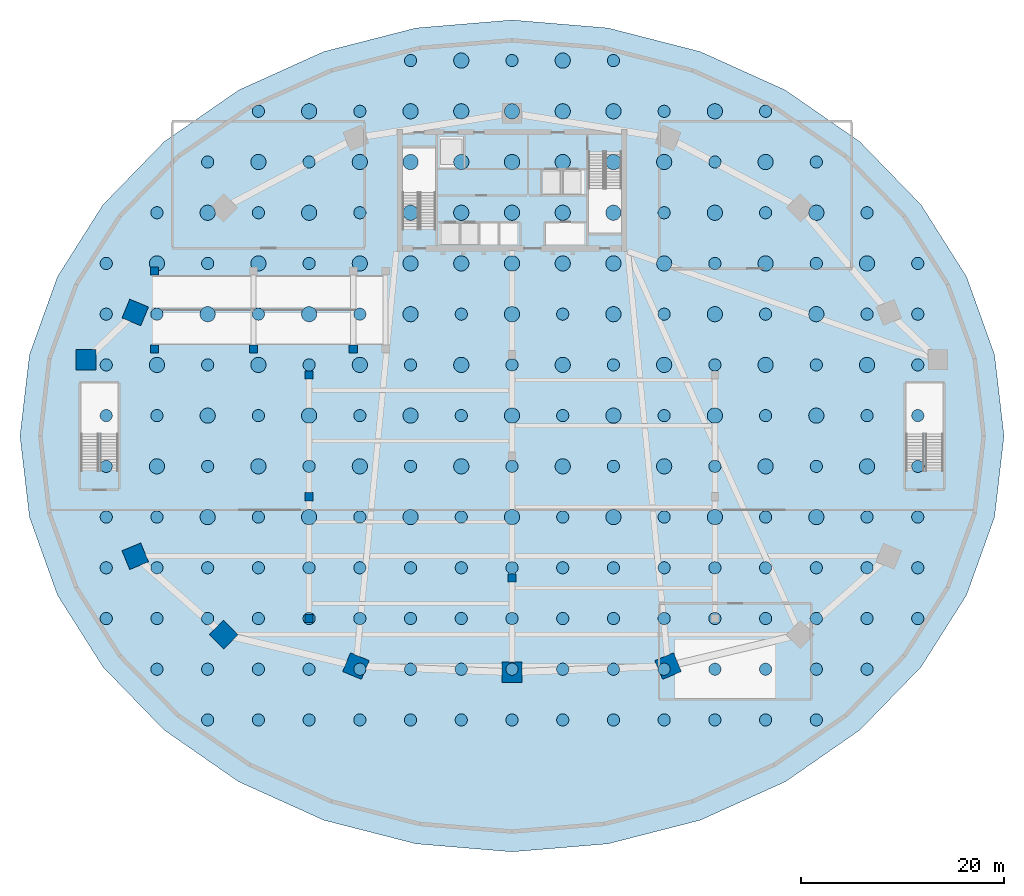
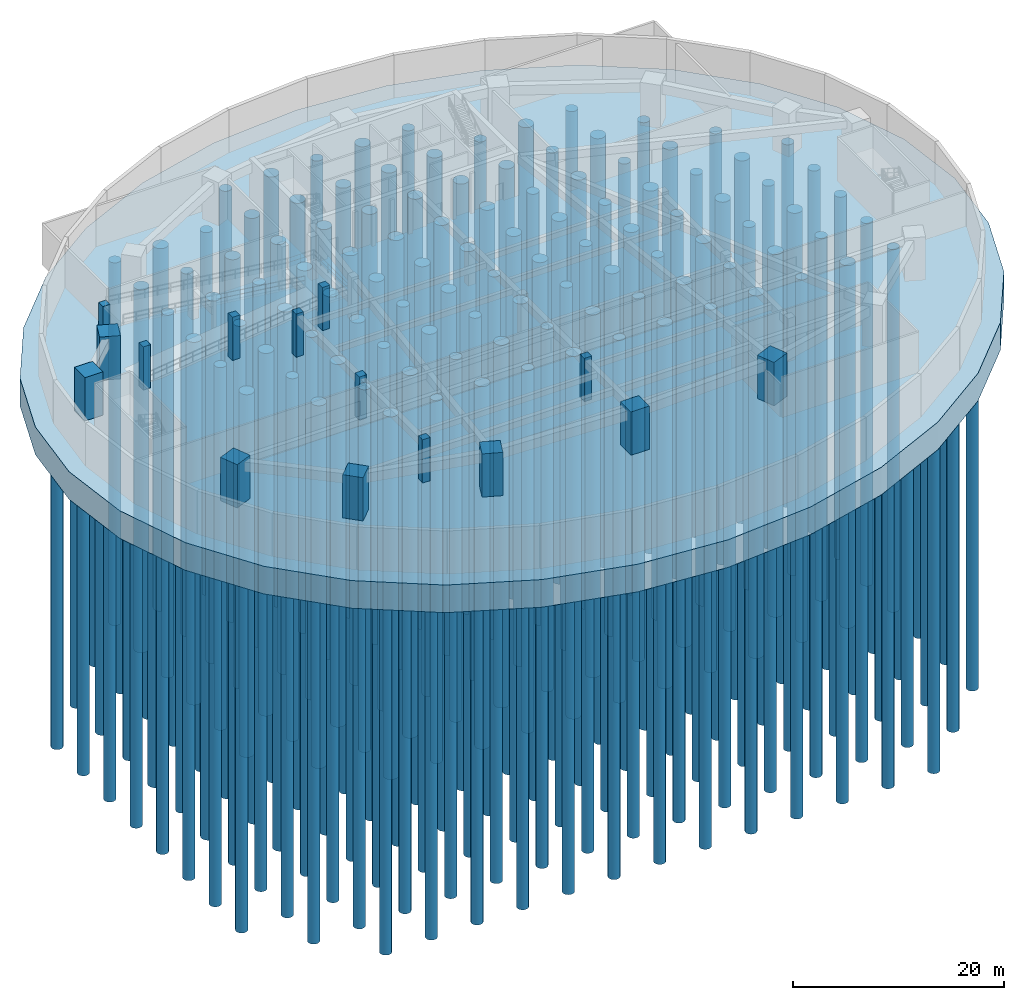
# One storey, part 1 of 11: 208 piles, 15 columns, 1 footing.
"""IFC4 building model written with IfcOpenShell, lengths in metres."""

import ifcopenshell
import ifcopenshell.guid

model = None  # the IFC model being written
_history = None  # IfcOwnerHistory: only IFC2X3 demands one
_inside = {}  # id of a spatial element -> (the spatial element, [elements in it])
_under = {}  # id of a project, library or spatial element -> (it, [spatial elements below it])
_declared = {}  # id of a project -> (the project, [libraries it declares])
_typed = {}  # id of a type object -> (the type object, [elements of that type])
_made_of = {}  # id of a material, layer set ... -> (it, [elements and type objects made of it])


def new_model(schema):
    """Start an empty IFC model of exactly this schema.

    Asked for "IFC4X3", IfcOpenShell would pick the latest addendum, in which some entities
    have other attributes; the version numbers below select the first issue.
    IFC2X3 requires an IfcOwnerHistory on every rooted entity: one is made here for all.
    """
    global model, _history
    if schema == "IFC4X3":
        model = ifcopenshell.file(schema_version=(4, 3, 0, 0))
    else:
        model = ifcopenshell.file(schema=schema)
    _inside.clear()
    _under.clear()
    _declared.clear()
    _typed.clear()
    _made_of.clear()
    _history = None
    if model.schema == "IFC2X3":
        org = make("IfcOrganization", Name="unknown")
        user = make(
            "IfcPersonAndOrganization",
            ThePerson=make("IfcPerson", FamilyName="unknown"),
            TheOrganization=org,
        )
        app = make(
            "IfcApplication",
            ApplicationDeveloper=org,
            Version="unknown",
            ApplicationFullName="unknown",
            ApplicationIdentifier="unknown",
        )
        _history = make(
            "IfcOwnerHistory",
            OwningUser=user,
            OwningApplication=app,
            ChangeAction="ADDED",
            CreationDate=0,
        )
    return model


def make(cls, **values):
    """One entity of the class cls with the attributes given. An attribute that is None is left unset."""
    return model.create_entity(
        cls, **{name: value for name, value in values.items() if value is not None}
    )


def rooted(cls, **values):
    """An entity with a GlobalId (a new one), such as an element, a storey or a relation."""
    return make(cls, GlobalId=ifcopenshell.guid.new(), OwnerHistory=_history, **values)


def si_unit(unit_type, name, prefix=None):
    """IfcSIUnit, for example si_unit("LENGTHUNIT", "METRE", prefix="MILLI")."""
    return make("IfcSIUnit", UnitType=unit_type, Prefix=prefix, Name=name)


def assignment(units):
    """IfcUnitAssignment: the units of a project."""
    return None if units is None else make("IfcUnitAssignment", Units=units)


def point(xyz):
    """IfcCartesianPoint."""
    return None if xyz is None else make("IfcCartesianPoint", Coordinates=xyz)


def direction(xyz):
    """IfcDirection."""
    return None if xyz is None else make("IfcDirection", DirectionRatios=xyz)


def frame(location, z_axis=None, x_axis=None):
    """IfcAxis2Placement3D, a coordinate frame: its origin and axes. An axis left out is left unset."""
    return make(
        "IfcAxis2Placement3D",
        Location=point(location),
        Axis=direction(z_axis),
        RefDirection=direction(x_axis),
    )


def frame_2d(location, x_axis=None):
    """IfcAxis2Placement2D, a coordinate frame in the plane: its origin and x axis."""
    return make(
        "IfcAxis2Placement2D", Location=point(location), RefDirection=direction(x_axis)
    )


def origin():
    """The frame at (0, 0, 0) with its axes left unset."""
    return frame((0.0, 0.0, 0.0))


def origin_2d():
    """The frame at (0, 0) in the plane with its x axis left unset."""
    return frame_2d((0.0, 0.0))


def place(relative_to, where):
    """IfcLocalPlacement: puts the frame where relative to a parent placement (None: the world)."""
    return make(
        "IfcLocalPlacement", PlacementRelTo=relative_to, RelativePlacement=where
    )


def context(
    kind, dimensions, precision=None, world=None, true_north=None, identifier=None
):
    """IfcGeometricRepresentationContext, for example the 3D "Model" context."""
    return make(
        "IfcGeometricRepresentationContext",
        ContextIdentifier=identifier,
        ContextType=kind,
        CoordinateSpaceDimension=dimensions,
        Precision=precision,
        WorldCoordinateSystem=world,
        TrueNorth=true_north,
    )


def subcontext(parent, identifier, kind, view, scale=None):
    """IfcGeometricRepresentationSubContext, for example "Body" below "Model"."""
    return make(
        "IfcGeometricRepresentationSubContext",
        ContextIdentifier=identifier,
        ContextType=kind,
        ParentContext=parent,
        TargetScale=scale,
        TargetView=view,
    )


def project(units=None, contexts=None):
    """IfcProject with its units and contexts."""
    return rooted(
        "IfcProject",
        Name="project",
        RepresentationContexts=contexts,
        UnitsInContext=assignment(units),
    )


def spatial(cls, under=None, at=None, **own):
    """A site, building, storey or space (cls), placed at a placement, below another one or the project."""
    s = rooted(cls, ObjectPlacement=at, **own)
    if under is not None:
        _under.setdefault(under.id(), (under, []))[1].append(s)
    return s


def polyline(points):
    """IfcPolyline through the points."""
    return make("IfcPolyline", Points=[point(p) for p in points])


def profile(cls, at=None, kind="AREA", **sizes):
    """A parametric profile (cls). Its sizes go by their IFC names, for example OverallWidth=200.0."""
    return make(cls, ProfileType=kind, Position=at, **sizes)


def rectangle(**sizes):
    """IfcRectangleProfileDef."""
    return profile("IfcRectangleProfileDef", **sizes)


def circle(**sizes):
    """IfcCircleProfileDef."""
    return profile("IfcCircleProfileDef", **sizes)


def outline(outer, holes=None, kind="AREA"):
    """IfcArbitraryClosedProfileDef: a profile drawn as a closed curve; with holes, ...WithVoids."""
    if holes is None:
        return make("IfcArbitraryClosedProfileDef", ProfileType=kind, OuterCurve=outer)
    return make(
        "IfcArbitraryProfileDefWithVoids",
        ProfileType=kind,
        OuterCurve=outer,
        InnerCurves=holes,
    )


def extrude(swept, where, along, depth):
    """IfcExtrudedAreaSolid: the profile swept, set in the frame where, extruded along a direction by depth."""
    return make(
        "IfcExtrudedAreaSolid",
        SweptArea=swept,
        Position=where,
        ExtrudedDirection=direction(along),
        Depth=depth,
    )


def shape(context_of_items, identifier, shape_type, items):
    """IfcShapeRepresentation: the items that make up one representation, for example the "Body"."""
    return make(
        "IfcShapeRepresentation",
        ContextOfItems=context_of_items,
        RepresentationIdentifier=identifier,
        RepresentationType=shape_type,
        Items=items,
    )


def source(mapping_origin, context_of_items, identifier, shape_type, items):
    """IfcRepresentationMap: a shape defined once, which mapped items show again and again."""
    return make(
        "IfcRepresentationMap",
        MappingOrigin=mapping_origin,
        MappedRepresentation=shape(context_of_items, identifier, shape_type, items),
    )


def transform(
    local_origin,
    x_axis=None,
    y_axis=None,
    z_axis=None,
    scale=None,
    scale2=None,
    scale3=None,
    uniform=True,
):
    """IfcCartesianTransformationOperator3D, or its non-uniform kind. x_axis, y_axis, z_axis: its Axis1, 2, 3."""
    if uniform:
        return make(
            "IfcCartesianTransformationOperator3D",
            Axis1=direction(x_axis),
            Axis2=direction(y_axis),
            LocalOrigin=point(local_origin),
            Scale=scale,
            Axis3=direction(z_axis),
        )
    return make(
        "IfcCartesianTransformationOperator3DnonUniform",
        Axis1=direction(x_axis),
        Axis2=direction(y_axis),
        LocalOrigin=point(local_origin),
        Scale=scale,
        Axis3=direction(z_axis),
        Scale2=scale2,
        Scale3=scale3,
    )


def mapped(mapping_source, mapping_target):
    """IfcMappedItem: shows the shape of a source again, moved by a transform."""
    return make(
        "IfcMappedItem", MappingSource=mapping_source, MappingTarget=mapping_target
    )


def material(Name=None, Category=None):
    """IfcMaterial."""
    return make("IfcMaterial", Name=Name, Category=Category)


def layer(
    of_material, thickness, ventilated=None, Name=None, Category=None, Priority=None
):
    """IfcMaterialLayer: one layer of a wall or slab, of a material (None: an air gap)."""
    return make(
        "IfcMaterialLayer",
        Material=of_material,
        LayerThickness=thickness,
        IsVentilated=ventilated,
        Name=Name,
        Category=Category,
        Priority=Priority,
    )


def layer_set(layers, Name=None):
    """IfcMaterialLayerSet."""
    return make("IfcMaterialLayerSet", MaterialLayers=layers, LayerSetName=Name)


def material_profile(
    of_material, cross_section, Name=None, Category=None, Priority=None
):
    """IfcMaterialProfile: a cross section and its material."""
    return make(
        "IfcMaterialProfile",
        Name=Name,
        Material=of_material,
        Profile=cross_section,
        Priority=Priority,
        Category=Category,
    )


def profile_set(profiles, Name=None, composite=None):
    """IfcMaterialProfileSet."""
    return make(
        "IfcMaterialProfileSet",
        Name=Name,
        MaterialProfiles=profiles,
        CompositeProfile=composite,
    )


def made_of(thing, what):
    """Note that an element or type object is made of a material, layer set ...; save() writes the relation."""
    if what is not None:
        _made_of.setdefault(what.id(), (what, []))[1].append(thing)
    return thing


def type_object(cls, material=None, **own):
    """A type object (cls), such as IfcWallType, which elements share."""
    return made_of(rooted(cls, **own), material)


def type_shapes(of_type, sources):
    """Give a type object the sources (RepresentationMaps) that its elements show as mapped items."""
    of_type.RepresentationMaps = sources


def element(
    cls,
    number,
    at=None,
    inside=None,
    cuts=None,
    type_object=None,
    material=None,
    context=None,
    identifier="Body",
    shape_type=None,
    held_by="IfcProductDefinitionShape",
    body=None,
    shapes=None,
    **own,
):
    """One element of the class cls, such as IfcWall. Its Tag is "e" and its number.

    at: its placement. inside: the storey or other place that contains it. cuts: it is an
    opening in that element (IfcRelVoidsElement). A single representation is given by context,
    identifier, shape_type and body (its items); several are given by shapes. held_by: the class
    of the entity that holds the representations. save() writes the other relations.
    """
    e = rooted(cls, Tag="e%d" % number, ObjectPlacement=at, **own)
    if body is not None:
        shapes = [shape(context, identifier, shape_type, body)]
    if shapes is not None:
        e.Representation = make(held_by, Representations=shapes)
    if inside is not None:
        _inside.setdefault(inside.id(), (inside, []))[1].append(e)
    if cuts is not None:
        rooted(
            "IfcRelVoidsElement", RelatingBuildingElement=cuts, RelatedOpeningElement=e
        )
    if type_object is not None:
        _typed.setdefault(type_object.id(), (type_object, []))[1].append(e)
    return made_of(e, material)


def aggregate(whole, parts):
    """IfcRelAggregates: a whole, such as a stair, and the parts it consists of."""
    return rooted("IfcRelAggregates", RelatingObject=whole, RelatedObjects=parts)


def save(model, path):
    """Write the relations noted so far, then the file.

    IfcRelAggregates (storeys below a building ...), IfcRelContainedInSpatialStructure (elements
    in a storey), IfcRelDefinesByType, IfcRelAssociatesMaterial and IfcRelDeclares: one each for
    every whole, place, type object, material and project.
    """
    for whole, parts in _under.values():
        aggregate(whole, parts)
    for where, things in _inside.values():
        rooted(
            "IfcRelContainedInSpatialStructure",
            RelatedElements=things,
            RelatingStructure=where,
        )
    for kind, things in _typed.values():
        rooted("IfcRelDefinesByType", RelatedObjects=things, RelatingType=kind)
    for what, things in _made_of.values():
        rooted("IfcRelAssociatesMaterial", RelatedObjects=things, RelatingMaterial=what)
    for by, libraries in _declared.values():
        rooted("IfcRelDeclares", RelatingContext=by, RelatedDefinitions=libraries)
    model.write(path)


model = new_model("IFC4")

# Units and contexts
model_context = context("Model", 3, precision=1e-05, world=origin(), true_north=direction((0.0, 1.0)))
body_context = subcontext(model_context, "Body", "Model", "MODEL_VIEW")
ifc_project = project(units=[si_unit("LENGTHUNIT", "METRE"), si_unit("AREAUNIT", "SQUARE_METRE"), si_unit("VOLUMEUNIT", "CUBIC_METRE"), si_unit("PLANEANGLEUNIT", "RADIAN"), si_unit("MASSUNIT", "GRAM", prefix="KILO")], contexts=[model_context])

# Site, building, storey
site_placement = place(None, origin())
site = spatial("IfcSite", under=ifc_project, at=site_placement, CompositionType="ELEMENT")
building_placement = place(site_placement, origin())
building = spatial("IfcBuilding", under=site, at=building_placement, Name="Breltana Convention Tower", CompositionType="ELEMENT")
storey_placement = place(building_placement, frame((0.0, 0.0, -10.0)))
storey = spatial("IfcBuildingStorey", under=building, at=storey_placement, Name="B02", CompositionType="ELEMENT", Elevation=-10.0)

# Footing
ifc_material_1 = material(Name="Concrete C50/60", Category="concrete")
ifc_layer = layer(ifc_material_1, 3.199951171875, Name="Concrete C50/60")
ifc_layer_set = layer_set([ifc_layer], Name="Concrete C50/60")
footing_type = type_object("IfcFootingType", Name="FT-RAFT-3200", PredefinedType="PILE_CAP", material=ifc_layer_set)
footing_placement = place(storey_placement, frame((0.0, 0.0, -3.199951171875)))
element("IfcFooting", 1, at=footing_placement, inside=storey, type_object=footing_type, Name="Tower and Podium Piled Raft Foundation 3200 mm", PredefinedType="PILE_CAP", context=body_context, shape_type="SweptSolid", body=[
    extrude(outline(polyline([(96.5, 42.0), (95.568115234375, 49.998779296875), (92.80810546875, 57.68994140625), (88.326416015625, 64.7783203125), (82.294677734375, 70.991455078125), (74.9453125, 76.09033203125), (66.56005859375, 79.879150390625), (57.4619140625, 82.212158203125), (48.0, 83.0), (38.5380859375, 82.212158203125), (29.43994140625, 79.879150390625), (21.0546875, 76.09033203125), (13.705322265625, 70.991455078125), (7.673583984375, 64.7783203125), (3.19189453125, 57.68994140625), (0.431884765625, 49.998779296875), (-0.5, 42.0), (0.431884765625, 34.001220703125), (3.19189453125, 26.31005859375), (7.673583984375, 19.2216796875), (13.705322265625, 13.008544921875), (21.0546875, 7.90966796875), (29.43994140625, 4.120849609375), (38.5380859375, 1.787841796875), (48.0, 1.0), (57.4619140625, 1.787841796875), (66.56005859375, 4.120849609375), (74.9453125, 7.90966796875), (82.294677734375, 13.008544921875), (88.326416015625, 19.2216796875), (92.80810546875, 26.31005859375), (95.568115234375, 34.001220703125), (96.5, 42.0)])), origin(), (0.0, 0.0, 1.0), 3.199951171875),
])

# Piles
ifc_material_2 = material(Name="Concrete C40/50", Category="concrete")
ifc_material_profile_1 = material_profile(ifc_material_2, circle(Radius=0.60009765625, at=origin_2d()), Name="BP-D1200")
ifc_profile_set_1 = profile_set([ifc_material_profile_1], Name="Concrete C40/50")
pile_type_1 = type_object("IfcPileType", Name="PL-BP-1200", PredefinedType="BORED", material=ifc_profile_set_1)
shared_shape_1 = source(origin(), body_context, "Body", "SweptSolid", [
    extrude(circle(Radius=0.60009765625, at=origin_2d()), origin(), (0.0, 0.0, 1.0), 42.0),
])
type_shapes(pile_type_1, [shared_shape_1])
for number, where, z_axis, x_axis, name in (
    (2, (8.0, 24.0, -3.050048828125), (0.0, 0.0, -1.0), (1.0, 0.0, 0.0), "Bored Foundation Pile 001"),
    (3, (8.0, 29.0, -3.050048828125), (0.0, 0.0, -1.0), (1.0, 0.0, 0.0), "Bored Foundation Pile 002"),
    (4, (8.0, 34.0, -3.050048828125), (0.0, 0.0, -1.0), (1.0, 0.0, 0.0), "Bored Foundation Pile 003"),
    (5, (8.0, 39.0, -3.050048828125), (0.0, 0.0, -1.0), (1.0, 0.0, 0.0), "Bored Foundation Pile 004"),
    (6, (8.0, 44.0, -3.050048828125), (0.0, 0.0, -1.0), (1.0, 0.0, 0.0), "Bored Foundation Pile 005"),
    (7, (8.0, 49.0, -3.050048828125), (0.0, 0.0, -1.0), (1.0, 0.0, 0.0), "Bored Foundation Pile 006"),
    (8, (8.0, 54.0, -3.050048828125), (0.0, 0.0, -1.0), (1.0, 0.0, 0.0), "Bored Foundation Pile 007"),
    (9, (8.0, 59.0, -3.050048828125), (0.0, 0.0, -1.0), (1.0, 0.0, 0.0), "Bored Foundation Pile 008"),
    (10, (13.0, 19.0, -3.050048828125), (0.0, 0.0, -1.0), (1.0, 0.0, 0.0), "Bored Foundation Pile 009"),
    (11, (13.0, 24.0, -3.050048828125), (0.0, 0.0, -1.0), (1.0, 0.0, 0.0), "Bored Foundation Pile 010"),
    (12, (13.0, 29.0, -3.050048828125), (0.0, 0.0, -1.0), (1.0, 0.0, 0.0), "Bored Foundation Pile 011"),
    (13, (13.0, 34.0, -3.050048828125), (0.0, 0.0, -1.0), (1.0, 0.0, 0.0), "Bored Foundation Pile 012"),
    (14, (13.0, 44.0, -3.050048828125), (0.0, 0.0, -1.0), (1.0, 0.0, 0.0), "Bored Foundation Pile 014"),
    (15, (13.0, 54.0, -3.050048828125), (0.0, 0.0, -1.0), (1.0, 0.0, 0.0), "Bored Foundation Pile 016"),
    (16, (13.0, 64.0, -3.050048828125), (0.0, 0.0, -1.0), (1.0, 0.0, 0.0), "Bored Foundation Pile 018"),
    (17, (18.0, 14.0, -3.050048828125), (0.0, 0.0, -1.0), (1.0, 0.0, 0.0), "Bored Foundation Pile 019"),
    (18, (18.0, 19.0, -3.050048828125), (0.0, 0.0, -1.0), (1.0, 0.0, 0.0), "Bored Foundation Pile 020"),
    (19, (18.0, 24.0, -3.050048828125), (0.0, 0.0, -1.0), (1.0, 0.0, 0.0), "Bored Foundation Pile 021"),
    (20, (18.0, 29.0, -3.050048828125), (0.0, 0.0, -1.0), (1.0, 0.0, 0.0), "Bored Foundation Pile 022"),
    (21, (18.0, 39.0, -3.050048828125), (0.0, 0.0, -1.0), (1.0, 0.0, 0.0), "Bored Foundation Pile 024"),
    (22, (18.0, 49.0, -3.050048828125), (0.0, 0.0, -1.0), (1.0, 0.0, 0.0), "Bored Foundation Pile 026"),
    (23, (18.0, 59.0, -3.050048828125), (0.0, 0.0, -1.0), (1.0, 0.0, 0.0), "Bored Foundation Pile 028"),
    (24, (18.0, 69.0, -3.050048828125), (0.0, 0.0, -1.0), (1.0, 0.0, 0.0), "Bored Foundation Pile 030"),
    (25, (23.0, 14.0, -3.050048828125), (0.0, 0.0, -1.0), (1.0, 0.0, 0.0), "Bored Foundation Pile 031"),
    (26, (23.0, 19.0, -3.050048828125), (0.0, 0.0, -1.0), (1.0, 0.0, 0.0), "Bored Foundation Pile 032"),
    (27, (23.0, 24.0, -3.050048828125), (0.0, 0.0, -1.0), (1.0, 0.0, 0.0), "Bored Foundation Pile 033"),
    (28, (23.0, 29.0, -3.050048828125), (0.0, 0.0, -1.0), (1.0, 0.0, 0.0), "Bored Foundation Pile 034"),
    (29, (23.0, 34.0, -3.050048828125), (0.0, 0.0, -1.0), (1.0, 0.0, 0.0), "Bored Foundation Pile 035"),
    (30, (23.0, 44.0, -3.050048828125), (0.0, 0.0, -1.0), (1.0, 0.0, 0.0), "Bored Foundation Pile 037"),
    (31, (23.0, 54.0, -3.050048828125), (0.0, 0.0, -1.0), (1.0, 0.0, 0.0), "Bored Foundation Pile 039"),
    (32, (23.0, 64.0, -3.050048828125), (0.0, 0.0, -1.0), (1.0, 0.0, 0.0), "Bored Foundation Pile 041"),
    (33, (23.0, 74.0, -3.050048828125), (0.0, 0.0, -1.0), (1.0, 0.0, 0.0), "Bored Foundation Pile 043"),
    (34, (28.0, 14.0, -3.050048828125), (0.0, 0.0, -1.0), (1.0, 0.0, 0.0), "Bored Foundation Pile 044"),
    (35, (28.0, 19.0, -3.050048828125), (0.0, 0.0, -1.0), (1.0, 0.0, 0.0), "Bored Foundation Pile 045"),
    (36, (28.0, 24.0, -3.050048828125), (0.0, 0.0, -1.0), (1.0, 0.0, 0.0), "Bored Foundation Pile 046"),
    (37, (28.0, 29.0, -3.050048828125), (0.0, 0.0, -1.0), (1.0, 0.0, 0.0), "Bored Foundation Pile 047"),
    (38, (28.0, 39.0, -3.050048828125), (0.0, 0.0, -1.0), (1.0, 0.0, 0.0), "Bored Foundation Pile 049"),
    (39, (28.0, 49.0, -3.050048828125), (0.0, 0.0, -1.0), (1.0, 0.0, 0.0), "Bored Foundation Pile 051"),
    (40, (28.0, 59.0, -3.050048828125), (0.0, 0.0, -1.0), (1.0, 0.0, 0.0), "Bored Foundation Pile 053"),
    (41, (28.0, 69.0, -3.050048828125), (0.0, 0.0, -1.0), (1.0, 0.0, 0.0), "Bored Foundation Pile 055"),
    (42, (33.0, 14.0, -3.050048828125), (0.0, 0.0, -1.0), (1.0, 0.0, 0.0), "Bored Foundation Pile 057"),
    (43, (33.0, 19.0, -3.050048828125), (0.0, 0.0, -1.0), (1.0, 0.0, 0.0), "Bored Foundation Pile 058"),
    (44, (33.0, 24.0, -3.050048828125), (0.0, 0.0, -1.0), (1.0, 0.0, 0.0), "Bored Foundation Pile 059"),
    (45, (33.0, 29.0, -3.050048828125), (0.0, 0.0, -1.0), (1.0, 0.0, 0.0), "Bored Foundation Pile 060"),
    (46, (33.0, 34.0, -3.050048828125), (0.0, 0.0, -1.0), (1.0, 0.0, 0.0), "Bored Foundation Pile 061"),
    (47, (33.0, 44.0, -3.050048828125), (0.0, 0.0, -1.0), (1.0, 0.0, 0.0), "Bored Foundation Pile 063"),
    (48, (33.0, 54.0, -3.050048828125), (0.0, 0.0, -1.0), (1.0, 0.0, 0.0), "Bored Foundation Pile 065"),
    (49, (33.0, 64.0, -3.050048828125), (0.0, 0.0, -1.0), (1.0, 0.0, 0.0), "Bored Foundation Pile 067"),
    (50, (33.0, 74.0, -3.050048828125), (0.0, 0.0, -1.0), (1.0, 0.0, 0.0), "Bored Foundation Pile 069"),
    (51, (38.0, 14.0, -3.050048828125), (0.0, 0.0, -1.0), (1.0, 0.0, 0.0), "Bored Foundation Pile 070"),
    (52, (38.0, 19.0, -3.050048828125), (0.0, 0.0, -1.0), (1.0, 0.0, 0.0), "Bored Foundation Pile 071"),
    (53, (38.0, 24.0, -3.050048828125), (0.0, 0.0, -1.0), (1.0, 0.0, 0.0), "Bored Foundation Pile 072"),
    (54, (38.0, 29.0, -3.050048828125), (0.0, 0.0, -1.0), (1.0, 0.0, 0.0), "Bored Foundation Pile 073"),
    (55, (38.0, 39.0, -3.050048828125), (0.0, 0.0, -1.0), (1.0, 0.0, 0.0), "Bored Foundation Pile 075"),
    (56, (38.0, 49.0, -3.050048828125), (0.0, 0.0, -1.0), (1.0, 0.0, 0.0), "Bored Foundation Pile 077"),
    (57, (38.0, 79.0, -3.050048828125), (0.0, 0.0, -1.0), (1.0, 0.0, 0.0), "Bored Foundation Pile 083"),
    (58, (43.0, 14.0, -3.050048828125), (0.0, 0.0, -1.0), (1.0, 0.0, 0.0), "Bored Foundation Pile 084"),
    (59, (43.0, 19.0, -3.050048828125), (0.0, 0.0, -1.0), (1.0, 0.0, 0.0), "Bored Foundation Pile 085"),
    (60, (43.0, 24.0, -3.050048828125), (0.0, 0.0, -1.0), (1.0, 0.0, 0.0), "Bored Foundation Pile 086"),
    (61, (43.0, 29.0, -3.050048828125), (0.0, 0.0, -1.0), (1.0, 0.0, 0.0), "Bored Foundation Pile 087"),
    (62, (43.0, 34.0, -3.050048828125), (0.0, 0.0, -1.0), (1.0, 0.0, 0.0), "Bored Foundation Pile 088"),
    (63, (43.0, 44.0, -3.050048828125), (0.0, 0.0, -1.0), (1.0, 0.0, 0.0), "Bored Foundation Pile 090"),
    (64, (43.0, 54.0, -3.050048828125), (0.0, 0.0, -1.0), (1.0, 0.0, 0.0), "Bored Foundation Pile 092"),
    (65, (48.0, 14.0, -3.050048828125), (0.0, 0.0, -1.0), (1.0, 0.0, 0.0), "Bored Foundation Pile 098"),
    (66, (48.0, 19.0, -3.050048828125), (0.0, 0.0, -1.0), (1.0, 0.0, 0.0), "Bored Foundation Pile 099"),
    (67, (48.0, 24.0, -3.050048828125), (0.0, 0.0, -1.0), (1.0, 0.0, 0.0), "Bored Foundation Pile 100"),
    (68, (48.0, 29.0, -3.050048828125), (0.0, 0.0, -1.0), (1.0, 0.0, 0.0), "Bored Foundation Pile 101"),
    (69, (48.0, 39.0, -3.050048828125), (0.0, 0.0, -1.0), (1.0, 0.0, 0.0), "Bored Foundation Pile 103"),
    (70, (48.0, 49.0, -3.050048828125), (0.0, 0.0, -1.0), (1.0, 0.0, 0.0), "Bored Foundation Pile 105"),
    (71, (48.0, 79.0, -3.050048828125), (0.0, 0.0, -1.0), (1.0, 0.0, 0.0), "Bored Foundation Pile 111"),
    (72, (53.0, 14.0, -3.050048828125), (0.0, 0.0, -1.0), (1.0, 0.0, 0.0), "Bored Foundation Pile 112"),
    (73, (53.0, 19.0, -3.050048828125), (0.0, 0.0, -1.0), (1.0, 0.0, 0.0), "Bored Foundation Pile 113"),
    (74, (53.0, 24.0, -3.050048828125), (0.0, 0.0, -1.0), (1.0, 0.0, 0.0), "Bored Foundation Pile 114"),
    (75, (53.0, 29.0, -3.050048828125), (0.0, 0.0, -1.0), (1.0, 0.0, 0.0), "Bored Foundation Pile 115"),
    (76, (53.0, 34.0, -3.050048828125), (0.0, 0.0, -1.0), (1.0, 0.0, 0.0), "Bored Foundation Pile 116"),
    (77, (53.0, 44.0, -3.050048828125), (0.0, 0.0, -1.0), (1.0, 0.0, 0.0), "Bored Foundation Pile 118"),
    (78, (53.0, 54.0, -3.050048828125), (0.0, 0.0, -1.0), (1.0, 0.0, 0.0), "Bored Foundation Pile 120"),
    (79, (58.0, 14.0, -3.050048828125), (0.0, 0.0, -1.0), (1.0, 0.0, 0.0), "Bored Foundation Pile 126"),
    (80, (58.0, 19.0, -3.050048828125), (0.0, 0.0, -1.0), (1.0, 0.0, 0.0), "Bored Foundation Pile 127"),
    (81, (58.0, 24.0, -3.050048828125), (0.0, 0.0, -1.0), (1.0, 0.0, 0.0), "Bored Foundation Pile 128"),
    (82, (58.0, 29.0, -3.050048828125), (0.0, 0.0, -1.0), (1.0, 0.0, 0.0), "Bored Foundation Pile 129"),
    (83, (58.0, 39.0, -3.050048828125), (0.0, 0.0, -1.0), (1.0, 0.0, 0.0), "Bored Foundation Pile 131"),
    (84, (58.0, 49.0, -3.050048828125), (0.0, 0.0, -1.0), (1.0, 0.0, 0.0), "Bored Foundation Pile 133"),
    (85, (58.0, 79.0, -3.050048828125), (0.0, 0.0, -1.0), (1.0, 0.0, 0.0), "Bored Foundation Pile 139"),
    (86, (63.0, 14.0, -3.050048828125), (0.0, 0.0, -1.0), (1.0, 0.0, 0.0), "Bored Foundation Pile 140"),
    (87, (63.0, 19.0, -3.050048828125), (0.0, 0.0, -1.0), (1.0, 0.0, 0.0), "Bored Foundation Pile 141"),
    (88, (63.0, 24.0, -3.050048828125), (0.0, 0.0, -1.0), (1.0, 0.0, 0.0), "Bored Foundation Pile 142"),
    (89, (63.0, 29.0, -3.050048828125), (0.0, 0.0, -1.0), (1.0, 0.0, 0.0), "Bored Foundation Pile 143"),
    (90, (63.0, 34.0, -3.050048828125), (0.0, 0.0, -1.0), (1.0, 0.0, 0.0), "Bored Foundation Pile 144"),
    (91, (63.0, 44.0, -3.050048828125), (0.0, 0.0, -1.0), (1.0, 0.0, 0.0), "Bored Foundation Pile 146"),
    (92, (63.0, 54.0, -3.050048828125), (0.0, 0.0, -1.0), (1.0, 0.0, 0.0), "Bored Foundation Pile 148"),
    (93, (63.0, 64.0, -3.050048828125), (0.0, 0.0, -1.0), (1.0, 0.0, 0.0), "Bored Foundation Pile 150"),
    (94, (63.0, 74.0, -3.050048828125), (0.0, 0.0, -1.0), (1.0, 0.0, 0.0), "Bored Foundation Pile 152"),
    (95, (68.0, 14.0, -3.050048828125), (0.0, 0.0, -1.0), (1.0, 0.0, 0.0), "Bored Foundation Pile 153"),
    (96, (68.0, 19.0, -3.050048828125), (0.0, 0.0, -1.0), (1.0, 0.0, 0.0), "Bored Foundation Pile 154"),
    (97, (68.0, 24.0, -3.050048828125), (0.0, 0.0, -1.0), (1.0, 0.0, 0.0), "Bored Foundation Pile 155"),
    (98, (68.0, 29.0, -3.050048828125), (0.0, 0.0, -1.0), (1.0, 0.0, 0.0), "Bored Foundation Pile 156"),
    (99, (68.0, 39.0, -3.050048828125), (0.0, 0.0, -1.0), (1.0, 0.0, 0.0), "Bored Foundation Pile 158"),
    (100, (68.0, 49.0, -3.050048828125), (0.0, 0.0, -1.0), (1.0, 0.0, 0.0), "Bored Foundation Pile 160"),
    (101, (68.0, 59.0, -3.050048828125), (0.0, 0.0, -1.0), (1.0, 0.0, 0.0), "Bored Foundation Pile 162"),
    (102, (68.0, 69.0, -3.050048828125), (0.0, 0.0, -1.0), (1.0, 0.0, 0.0), "Bored Foundation Pile 164"),
    (103, (73.0, 14.0, -3.050048828125), (0.0, 0.0, -1.0), (1.0, 0.0, 0.0), "Bored Foundation Pile 166"),
    (104, (73.0, 19.0, -3.050048828125), (0.0, 0.0, -1.0), (1.0, 0.0, 0.0), "Bored Foundation Pile 167"),
    (105, (73.0, 24.0, -3.050048828125), (0.0, 0.0, -1.0), (1.0, 0.0, 0.0), "Bored Foundation Pile 168"),
    (106, (73.0, 29.0, -3.050048828125), (0.0, 0.0, -1.0), (1.0, 0.0, 0.0), "Bored Foundation Pile 169"),
    (107, (73.0, 34.0, -3.050048828125), (0.0, 0.0, -1.0), (1.0, 0.0, 0.0), "Bored Foundation Pile 170"),
    (108, (73.0, 44.0, -3.050048828125), (0.0, 0.0, -1.0), (1.0, 0.0, 0.0), "Bored Foundation Pile 172"),
    (109, (73.0, 54.0, -3.050048828125), (0.0, 0.0, -1.0), (1.0, 0.0, 0.0), "Bored Foundation Pile 174"),
    (110, (73.0, 64.0, -3.050048828125), (0.0, 0.0, -1.0), (1.0, 0.0, 0.0), "Bored Foundation Pile 176"),
    (111, (73.0, 74.0, -3.050048828125), (0.0, 0.0, -1.0), (1.0, 0.0, 0.0), "Bored Foundation Pile 178"),
    (112, (78.0, 14.0, -3.050048828125), (0.0, 0.0, -1.0), (1.0, 0.0, 0.0), "Bored Foundation Pile 179"),
    (113, (78.0, 19.0, -3.050048828125), (0.0, 0.0, -1.0), (1.0, 0.0, 0.0), "Bored Foundation Pile 180"),
    (114, (78.0, 24.0, -3.050048828125), (0.0, 0.0, -1.0), (1.0, 0.0, 0.0), "Bored Foundation Pile 181"),
    (115, (78.0, 29.0, -3.050048828125), (0.0, 0.0, -1.0), (1.0, 0.0, 0.0), "Bored Foundation Pile 182"),
    (116, (78.0, 39.0, -3.050048828125), (0.0, 0.0, -1.0), (1.0, 0.0, 0.0), "Bored Foundation Pile 184"),
    (117, (78.0, 49.0, -3.050048828125), (0.0, 0.0, -1.0), (1.0, 0.0, 0.0), "Bored Foundation Pile 186"),
    (118, (78.0, 59.0, -3.050048828125), (0.0, 0.0, -1.0), (1.0, 0.0, 0.0), "Bored Foundation Pile 188"),
    (119, (78.0, 69.0, -3.050048828125), (0.0, 0.0, -1.0), (1.0, 0.0, 0.0), "Bored Foundation Pile 190"),
    (120, (83.0, 19.0, -3.050048828125), (0.0, 0.0, -1.0), (1.0, 0.0, 0.0), "Bored Foundation Pile 191"),
    (121, (83.0, 24.0, -3.050048828125), (0.0, 0.0, -1.0), (1.0, 0.0, 0.0), "Bored Foundation Pile 192"),
    (122, (83.0, 29.0, -3.050048828125), (0.0, 0.0, -1.0), (1.0, 0.0, 0.0), "Bored Foundation Pile 193"),
    (123, (83.0, 34.0, -3.050048828125), (0.0, 0.0, -1.0), (1.0, 0.0, 0.0), "Bored Foundation Pile 194"),
    (124, (83.0, 44.0, -3.050048828125), (0.0, 0.0, -1.0), (1.0, 0.0, 0.0), "Bored Foundation Pile 196"),
    (125, (83.0, 54.0, -3.050048828125), (0.0, 0.0, -1.0), (1.0, 0.0, 0.0), "Bored Foundation Pile 198"),
    (126, (83.0, 64.0, -3.050048828125), (0.0, 0.0, -1.0), (1.0, 0.0, 0.0), "Bored Foundation Pile 200"),
    (127, (88.0, 24.0, -3.050048828125), (0.0, 0.0, -1.0), (1.0, 0.0, 0.0), "Bored Foundation Pile 201"),
    (128, (88.0, 29.0, -3.050048828125), (0.0, 0.0, -1.0), (1.0, 0.0, 0.0), "Bored Foundation Pile 202"),
    (129, (88.0, 34.0, -3.050048828125), (0.0, 0.0, -1.0), (1.0, 0.0, 0.0), "Bored Foundation Pile 203"),
    (130, (88.0, 39.0, -3.050048828125), (0.0, 0.0, -1.0), (1.0, 0.0, 0.0), "Bored Foundation Pile 204"),
    (131, (88.0, 44.0, -3.050048828125), (0.0, 0.0, -1.0), (1.0, 0.0, 0.0), "Bored Foundation Pile 205"),
    (132, (88.0, 49.0, -3.050048828125), (0.0, 0.0, -1.0), (1.0, 0.0, 0.0), "Bored Foundation Pile 206"),
    (133, (88.0, 54.0, -3.050048828125), (0.0, 0.0, -1.0), (1.0, 0.0, 0.0), "Bored Foundation Pile 207"),
    (134, (88.0, 59.0, -3.050048828125), (0.0, 0.0, -1.0), (1.0, 0.0, 0.0), "Bored Foundation Pile 208"),
):
    element("IfcPile", number, at=place(storey_placement, frame(where, z_axis=z_axis, x_axis=x_axis)), inside=storey, type_object=pile_type_1, Name=name, PredefinedType="BORED", context=body_context, shape_type="MappedRepresentation", body=[
        mapped(shared_shape_1, transform((0.0, 0.0, 0.0), scale=1.0)),
    ])
ifc_material_profile_2 = material_profile(ifc_material_2, circle(Radius=0.75, at=origin_2d()), Name="BP-D1500")
ifc_profile_set_2 = profile_set([ifc_material_profile_2], Name="Concrete C40/50")
pile_type_2 = type_object("IfcPileType", Name="PL-BP-1500", PredefinedType="BORED", material=ifc_profile_set_2)
shared_shape_2 = source(origin(), body_context, "Body", "SweptSolid", [
    extrude(circle(Radius=0.75, at=origin_2d()), origin(), (0.0, 0.0, 1.0), 42.0),
])
type_shapes(pile_type_2, [shared_shape_2])
for number, where, z_axis, x_axis, name in (
    (135, (13.0, 39.0, -3.050048828125), (0.0, 0.0, -1.0), (1.0, 0.0, 0.0), "Bored Foundation Pile 013"),
    (136, (13.0, 49.0, -3.050048828125), (0.0, 0.0, -1.0), (1.0, 0.0, 0.0), "Bored Foundation Pile 015"),
    (137, (13.0, 59.0, -3.050048828125), (0.0, 0.0, -1.0), (1.0, 0.0, 0.0), "Bored Foundation Pile 017"),
    (138, (18.0, 34.0, -3.050048828125), (0.0, 0.0, -1.0), (1.0, 0.0, 0.0), "Bored Foundation Pile 023"),
    (139, (18.0, 44.0, -3.050048828125), (0.0, 0.0, -1.0), (1.0, 0.0, 0.0), "Bored Foundation Pile 025"),
    (140, (18.0, 54.0, -3.050048828125), (0.0, 0.0, -1.0), (1.0, 0.0, 0.0), "Bored Foundation Pile 027"),
    (141, (18.0, 64.0, -3.050048828125), (0.0, 0.0, -1.0), (1.0, 0.0, 0.0), "Bored Foundation Pile 029"),
    (142, (23.0, 39.0, -3.050048828125), (0.0, 0.0, -1.0), (1.0, 0.0, 0.0), "Bored Foundation Pile 036"),
    (143, (23.0, 49.0, -3.050048828125), (0.0, 0.0, -1.0), (1.0, 0.0, 0.0), "Bored Foundation Pile 038"),
    (144, (23.0, 59.0, -3.050048828125), (0.0, 0.0, -1.0), (1.0, 0.0, 0.0), "Bored Foundation Pile 040"),
    (145, (23.0, 69.0, -3.050048828125), (0.0, 0.0, -1.0), (1.0, 0.0, 0.0), "Bored Foundation Pile 042"),
    (146, (28.0, 34.0, -3.050048828125), (0.0, 0.0, -1.0), (1.0, 0.0, 0.0), "Bored Foundation Pile 048"),
    (147, (28.0, 44.0, -3.050048828125), (0.0, 0.0, -1.0), (1.0, 0.0, 0.0), "Bored Foundation Pile 050"),
    (148, (28.0, 54.0, -3.050048828125), (0.0, 0.0, -1.0), (1.0, 0.0, 0.0), "Bored Foundation Pile 052"),
    (149, (28.0, 64.0, -3.050048828125), (0.0, 0.0, -1.0), (1.0, 0.0, 0.0), "Bored Foundation Pile 054"),
    (150, (28.0, 74.0, -3.050048828125), (0.0, 0.0, -1.0), (1.0, 0.0, 0.0), "Bored Foundation Pile 056"),
    (151, (33.0, 39.0, -3.050048828125), (0.0, 0.0, -1.0), (1.0, 0.0, 0.0), "Bored Foundation Pile 062"),
    (152, (33.0, 49.0, -3.050048828125), (0.0, 0.0, -1.0), (1.0, 0.0, 0.0), "Bored Foundation Pile 064"),
    (153, (33.0, 59.0, -3.050048828125), (0.0, 0.0, -1.0), (1.0, 0.0, 0.0), "Bored Foundation Pile 066"),
    (154, (33.0, 69.0, -3.050048828125), (0.0, 0.0, -1.0), (1.0, 0.0, 0.0), "Bored Foundation Pile 068"),
    (155, (38.0, 34.0, -3.050048828125), (0.0, 0.0, -1.0), (1.0, 0.0, 0.0), "Bored Foundation Pile 074"),
    (156, (38.0, 44.0, -3.050048828125), (0.0, 0.0, -1.0), (1.0, 0.0, 0.0), "Bored Foundation Pile 076"),
    (157, (38.0, 54.0, -3.050048828125), (0.0, 0.0, -1.0), (1.0, 0.0, 0.0), "Bored Foundation Pile 078"),
    (158, (38.0, 59.0, -3.050048828125), (0.0, 0.0, -1.0), (1.0, 0.0, 0.0), "Bored Foundation Pile 079"),
    (159, (38.0, 64.0, -3.050048828125), (0.0, 0.0, -1.0), (1.0, 0.0, 0.0), "Bored Foundation Pile 080"),
    (160, (38.0, 69.0, -3.050048828125), (0.0, 0.0, -1.0), (1.0, 0.0, 0.0), "Bored Foundation Pile 081"),
    (161, (38.0, 74.0, -3.050048828125), (0.0, 0.0, -1.0), (1.0, 0.0, 0.0), "Bored Foundation Pile 082"),
    (162, (43.0, 39.0, -3.050048828125), (0.0, 0.0, -1.0), (1.0, 0.0, 0.0), "Bored Foundation Pile 089"),
    (163, (43.0, 49.0, -3.050048828125), (0.0, 0.0, -1.0), (1.0, 0.0, 0.0), "Bored Foundation Pile 091"),
    (164, (43.0, 59.0, -3.050048828125), (0.0, 0.0, -1.0), (1.0, 0.0, 0.0), "Bored Foundation Pile 093"),
    (165, (43.0, 64.0, -3.050048828125), (0.0, 0.0, -1.0), (1.0, 0.0, 0.0), "Bored Foundation Pile 094"),
    (166, (43.0, 69.0, -3.050048828125), (0.0, 0.0, -1.0), (1.0, 0.0, 0.0), "Bored Foundation Pile 095"),
    (167, (43.0, 74.0, -3.050048828125), (0.0, 0.0, -1.0), (1.0, 0.0, 0.0), "Bored Foundation Pile 096"),
    (168, (43.0, 79.0, -3.050048828125), (0.0, 0.0, -1.0), (1.0, 0.0, 0.0), "Bored Foundation Pile 097"),
    (169, (48.0, 34.0, -3.050048828125), (0.0, 0.0, -1.0), (1.0, 0.0, 0.0), "Bored Foundation Pile 102"),
    (170, (48.0, 44.0, -3.050048828125), (0.0, 0.0, -1.0), (1.0, 0.0, 0.0), "Bored Foundation Pile 104"),
    (171, (48.0, 54.0, -3.050048828125), (0.0, 0.0, -1.0), (1.0, 0.0, 0.0), "Bored Foundation Pile 106"),
    (172, (48.0, 59.0, -3.050048828125), (0.0, 0.0, -1.0), (1.0, 0.0, 0.0), "Bored Foundation Pile 107"),
    (173, (48.0, 64.0, -3.050048828125), (0.0, 0.0, -1.0), (1.0, 0.0, 0.0), "Bored Foundation Pile 108"),
    (174, (48.0, 69.0, -3.050048828125), (0.0, 0.0, -1.0), (1.0, 0.0, 0.0), "Bored Foundation Pile 109"),
    (175, (48.0, 74.0, -3.050048828125), (0.0, 0.0, -1.0), (1.0, 0.0, 0.0), "Bored Foundation Pile 110"),
    (176, (53.0, 39.0, -3.050048828125), (0.0, 0.0, -1.0), (1.0, 0.0, 0.0), "Bored Foundation Pile 117"),
    (177, (53.0, 49.0, -3.050048828125), (0.0, 0.0, -1.0), (1.0, 0.0, 0.0), "Bored Foundation Pile 119"),
    (178, (53.0, 59.0, -3.050048828125), (0.0, 0.0, -1.0), (1.0, 0.0, 0.0), "Bored Foundation Pile 121"),
    (179, (53.0, 64.0, -3.050048828125), (0.0, 0.0, -1.0), (1.0, 0.0, 0.0), "Bored Foundation Pile 122"),
    (180, (53.0, 69.0, -3.050048828125), (0.0, 0.0, -1.0), (1.0, 0.0, 0.0), "Bored Foundation Pile 123"),
    (181, (53.0, 74.0, -3.050048828125), (0.0, 0.0, -1.0), (1.0, 0.0, 0.0), "Bored Foundation Pile 124"),
    (182, (53.0, 79.0, -3.050048828125), (0.0, 0.0, -1.0), (1.0, 0.0, 0.0), "Bored Foundation Pile 125"),
    (183, (58.0, 34.0, -3.050048828125), (0.0, 0.0, -1.0), (1.0, 0.0, 0.0), "Bored Foundation Pile 130"),
    (184, (58.0, 44.0, -3.050048828125), (0.0, 0.0, -1.0), (1.0, 0.0, 0.0), "Bored Foundation Pile 132"),
    (185, (58.0, 54.0, -3.050048828125), (0.0, 0.0, -1.0), (1.0, 0.0, 0.0), "Bored Foundation Pile 134"),
    (186, (58.0, 59.0, -3.050048828125), (0.0, 0.0, -1.0), (1.0, 0.0, 0.0), "Bored Foundation Pile 135"),
    (187, (58.0, 64.0, -3.050048828125), (0.0, 0.0, -1.0), (1.0, 0.0, 0.0), "Bored Foundation Pile 136"),
    (188, (58.0, 69.0, -3.050048828125), (0.0, 0.0, -1.0), (1.0, 0.0, 0.0), "Bored Foundation Pile 137"),
    (189, (58.0, 74.0, -3.050048828125), (0.0, 0.0, -1.0), (1.0, 0.0, 0.0), "Bored Foundation Pile 138"),
    (190, (63.0, 39.0, -3.050048828125), (0.0, 0.0, -1.0), (1.0, 0.0, 0.0), "Bored Foundation Pile 145"),
    (191, (63.0, 49.0, -3.050048828125), (0.0, 0.0, -1.0), (1.0, 0.0, 0.0), "Bored Foundation Pile 147"),
    (192, (63.0, 59.0, -3.050048828125), (0.0, 0.0, -1.0), (1.0, 0.0, 0.0), "Bored Foundation Pile 149"),
    (193, (63.0, 69.0, -3.050048828125), (0.0, 0.0, -1.0), (1.0, 0.0, 0.0), "Bored Foundation Pile 151"),
    (194, (68.0, 34.0, -3.050048828125), (0.0, 0.0, -1.0), (1.0, 0.0, 0.0), "Bored Foundation Pile 157"),
    (195, (68.0, 44.0, -3.050048828125), (0.0, 0.0, -1.0), (1.0, 0.0, 0.0), "Bored Foundation Pile 159"),
    (196, (68.0, 54.0, -3.050048828125), (0.0, 0.0, -1.0), (1.0, 0.0, 0.0), "Bored Foundation Pile 161"),
    (197, (68.0, 64.0, -3.050048828125), (0.0, 0.0, -1.0), (1.0, 0.0, 0.0), "Bored Foundation Pile 163"),
    (198, (68.0, 74.0, -3.050048828125), (0.0, 0.0, -1.0), (1.0, 0.0, 0.0), "Bored Foundation Pile 165"),
    (199, (73.0, 39.0, -3.050048828125), (0.0, 0.0, -1.0), (1.0, 0.0, 0.0), "Bored Foundation Pile 171"),
    (200, (73.0, 49.0, -3.050048828125), (0.0, 0.0, -1.0), (1.0, 0.0, 0.0), "Bored Foundation Pile 173"),
    (201, (73.0, 59.0, -3.050048828125), (0.0, 0.0, -1.0), (1.0, 0.0, 0.0), "Bored Foundation Pile 175"),
    (202, (73.0, 69.0, -3.050048828125), (0.0, 0.0, -1.0), (1.0, 0.0, 0.0), "Bored Foundation Pile 177"),
    (203, (78.0, 34.0, -3.050048828125), (0.0, 0.0, -1.0), (1.0, 0.0, 0.0), "Bored Foundation Pile 183"),
    (204, (78.0, 44.0, -3.050048828125), (0.0, 0.0, -1.0), (1.0, 0.0, 0.0), "Bored Foundation Pile 185"),
    (205, (78.0, 54.0, -3.050048828125), (0.0, 0.0, -1.0), (1.0, 0.0, 0.0), "Bored Foundation Pile 187"),
    (206, (78.0, 64.0, -3.050048828125), (0.0, 0.0, -1.0), (1.0, 0.0, 0.0), "Bored Foundation Pile 189"),
    (207, (83.0, 39.0, -3.050048828125), (0.0, 0.0, -1.0), (1.0, 0.0, 0.0), "Bored Foundation Pile 195"),
    (208, (83.0, 49.0, -3.050048828125), (0.0, 0.0, -1.0), (1.0, 0.0, 0.0), "Bored Foundation Pile 197"),
    (209, (83.0, 59.0, -3.050048828125), (0.0, 0.0, -1.0), (1.0, 0.0, 0.0), "Bored Foundation Pile 199"),
):
    element("IfcPile", number, at=place(storey_placement, frame(where, z_axis=z_axis, x_axis=x_axis)), inside=storey, type_object=pile_type_2, Name=name, PredefinedType="BORED", context=body_context, shape_type="MappedRepresentation", body=[
        mapped(shared_shape_2, transform((0.0, 0.0, 0.0), scale=1.0)),
    ])

# Columns
ifc_material_3 = material(Name="Concrete C60/75", Category="concrete")
ifc_material_profile_3 = material_profile(ifc_material_3, rectangle(XDim=2.0, YDim=2.0, at=origin_2d()), Name="RC-COL-2000X2000")
ifc_profile_set_3 = profile_set([ifc_material_profile_3], Name="Concrete C60/75")
column_type_1 = type_object("IfcColumnType", Name="COL-MC-2000", PredefinedType="COLUMN", material=ifc_profile_set_3)
shared_shape_3 = source(origin(), body_context, "Body", "SweptSolid", [
    extrude(rectangle(XDim=2.0, YDim=2.0, at=origin_2d()), origin(), (0.0, 0.0, 1.0), 5.0),
])
type_shapes(column_type_1, [shared_shape_3])
for number, where, z_axis, x_axis, name in (
    (210, (10.860107421875, 54.169189453125, 0.0), (0.0, 0.0, 1.0), (-0.923879532511, 0.382683432365, 0.0), "B02 Podium Mega-Column MC-08"),
    (211, (6.0, 49.5, 0.0), (0.0, 0.0, 1.0), (-1.0, 0.0, 0.0), "B02 Podium Mega-Column MC-09"),
    (212, (10.860107421875, 30.136962890625, 0.0), (0.0, 0.0, 1.0), (-0.923879532511, -0.382683432365, 0.0), "B02 Podium Mega-Column MC-10"),
    (213, (19.57421875, 22.412109375, 0.0), (0.0, 0.0, 1.0), (-0.707106781187, -0.707106781187, 0.0), "B02 Podium Mega-Column MC-11"),
    (214, (32.6162109375, 19.3125, 0.0), (0.0, 0.0, 1.0), (-0.382683432365, -0.923879532511, 0.0), "B02 Podium Mega-Column MC-12"),
    (215, (48.0, 18.699951171875, 0.0), (0.0, 0.0, 1.0), (0.0, -1.0, 0.0), "B02 Podium Mega-Column MC-13"),
    (216, (63.3837890625, 19.3125, 0.0), (0.0, 0.0, 1.0), (0.382683432365, -0.923879532511, 0.0), "B02 Podium Mega-Column MC-14"),
):
    element("IfcColumn", number, at=place(storey_placement, frame(where, z_axis=z_axis, x_axis=x_axis)), inside=storey, type_object=column_type_1, Name=name, PredefinedType="COLUMN", context=body_context, shape_type="MappedRepresentation", body=[
        mapped(shared_shape_3, transform((0.0, 0.0, 0.0), scale=1.0)),
    ])
ifc_material_profile_4 = material_profile(ifc_material_1, rectangle(XDim=0.800048828125, YDim=0.800048828125, at=origin_2d()), Name="RC-COL-800X800")
ifc_profile_set_4 = profile_set([ifc_material_profile_4], Name="Concrete C50/60")
column_type_2 = type_object("IfcColumnType", Name="COL-RC-800", PredefinedType="COLUMN", material=ifc_profile_set_4)
shared_shape_4 = source(origin(), body_context, "Body", "SweptSolid", [
    extrude(rectangle(XDim=0.800048828125, YDim=0.800048828125, at=origin_2d()), origin(), (0.0, 0.0, 1.0), 5.0),
])
type_shapes(column_type_2, [shared_shape_4])
for number, where, z_axis, x_axis, name in (
    (217, (28.0, 24.0, 0.0), (0.0, 0.0, 1.0), (1.0, 0.0, 0.0), "B02 Basement Parking Grid Column BG-W1"),
    (218, (28.0, 36.0, 0.0), (0.0, 0.0, 1.0), (1.0, 0.0, 0.0), "B02 Basement Parking Grid Column BG-W2"),
    (219, (28.0, 48.0, 0.0), (0.0, 0.0, 1.0), (1.0, 0.0, 0.0), "B02 Basement Parking Grid Column BG-W3"),
    (220, (48.0, 28.0, 0.0), (0.0, 0.0, 1.0), (1.0, 0.0, 0.0), "B02 Basement Parking Grid Column BG-C1"),
    (221, (12.75, 50.550048828125, 0.0), (0.0, 0.0, 1.0), (1.0, 0.0, 0.0), "B02 Vehicular Ramp Support Column 01"),
    (222, (12.75, 58.25, 0.0), (0.0, 0.0, 1.0), (1.0, 0.0, 0.0), "B02 Vehicular Ramp Support Column 02"),
    (223, (22.5, 50.550048828125, 0.0), (0.0, 0.0, 1.0), (1.0, 0.0, 0.0), "B02 Vehicular Ramp Support Column 03"),
    (224, (32.35009765625, 50.550048828125, 0.0), (0.0, 0.0, 1.0), (1.0, 0.0, 0.0), "B02 Vehicular Ramp Support Column 05"),
):
    element("IfcColumn", number, at=place(storey_placement, frame(where, z_axis=z_axis, x_axis=x_axis)), inside=storey, type_object=column_type_2, Name=name, PredefinedType="COLUMN", context=body_context, shape_type="MappedRepresentation", body=[
        mapped(shared_shape_4, transform((0.0, 0.0, 0.0), scale=1.0)),
    ])

save(model, "model.ifc")
